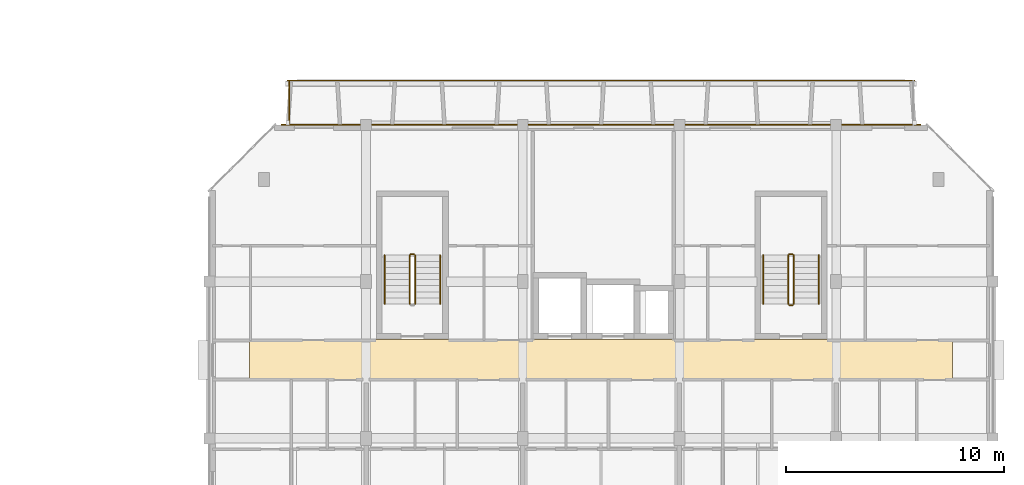
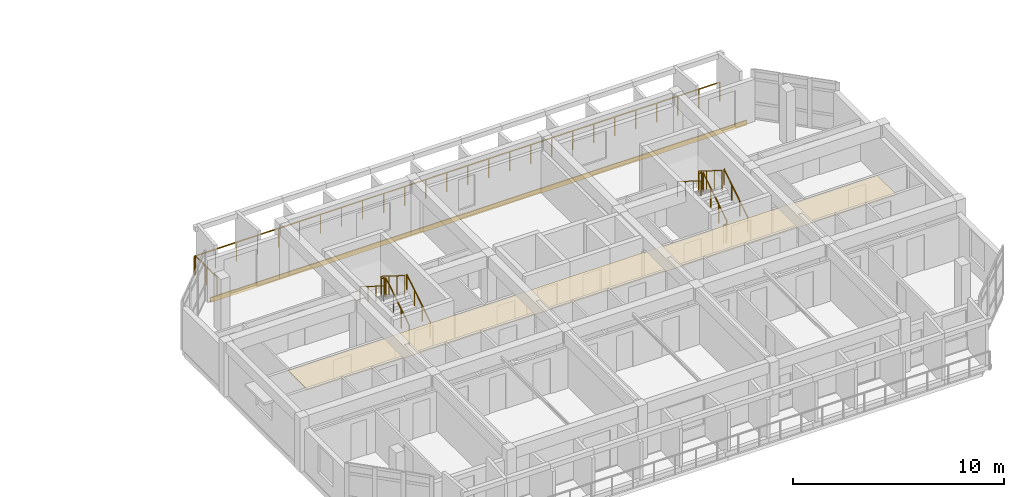
# One storey, part 43 of 46: 13 railings, 2 coverings.
"""IFC4 building model written with IfcOpenShell, lengths in metres."""

from ifc_helpers import new_model, si_unit, direction, frame, origin, origin_2d, place, context, subcontext, project, spatial, polyline, rectangle, circle, outline, extrude, material, layer, layer_set, type_object, element, save


model = new_model("IFC4")

# Units and contexts
model_context = context("Model", 3, precision=1e-05, world=origin(), true_north=direction((0.0, 1.0)))
body_context = subcontext(model_context, "Body", "Model", "MODEL_VIEW")
ifc_project = project(units=[si_unit("LENGTHUNIT", "METRE"), si_unit("AREAUNIT", "SQUARE_METRE"), si_unit("VOLUMEUNIT", "CUBIC_METRE"), si_unit("PLANEANGLEUNIT", "RADIAN"), si_unit("MASSUNIT", "GRAM", prefix="KILO")], contexts=[model_context])

# Site, building, storey
site_placement = place(None, origin())
site = spatial("IfcSite", under=ifc_project, at=site_placement, CompositionType="ELEMENT")
building_placement = place(site_placement, origin())
building = spatial("IfcBuilding", under=site, at=building_placement, Name="Ochrevale Crest", CompositionType="ELEMENT")
storey_placement = place(building_placement, frame((0.0, 0.0, 24.449951171875)))
storey = spatial("IfcBuildingStorey", under=building, at=storey_placement, Name="L07", CompositionType="ELEMENT", Elevation=24.449951171875)

# Coverings
ifc_material_1 = material(Name="Gypsum plasterboard", Category="gypsum")
ifc_layer_1 = layer(ifc_material_1, 0.02490234375)
ifc_layer_set_1 = layer_set([ifc_layer_1], Name="Gypsum plasterboard")
covering_type_1 = type_object("IfcCoveringType", Name="COV-CEIL-GYP", PredefinedType="CEILING", material=ifc_layer_set_1)
covering_1_placement = place(storey_placement, frame((0.0, 0.0, 2.280029296875)))
element("IfcCovering", 1, at=covering_1_placement, inside=storey, type_object=covering_type_1, Name="Block C L07 acoustic corridor ceiling", PredefinedType="CEILING", context=body_context, shape_type="SweptSolid", body=[
    extrude(outline(polyline([(131.449951171875, 24.260009765625), (163.75, 24.260009765625), (163.75, 26.139892578125), (131.449951171875, 26.139892578125), (131.449951171875, 24.260009765625)])), origin(), (0.0, 0.0, 1.0), 0.02490234375),
])
ifc_material_2 = material(Name="Glazed terracotta rainscreen tile", Category="masonry")
ifc_layer_2 = layer(ifc_material_2, 0.048095703125)
ifc_layer_set_2 = layer_set([ifc_layer_2], Name="Glazed terracotta rainscreen tile")
covering_type_2 = type_object("IfcCoveringType", Name="COV-CLAD-TER", PredefinedType="CLADDING", material=ifc_layer_set_2)
covering_2_placement = place(storey_placement, frame((147.60009765625, 36.012451171875, -0.259765625), z_axis=(0.0, 0.0, 1.0), x_axis=(-1.0, 0.0, 0.0)))
element("IfcCovering", 2, at=covering_2_placement, inside=storey, type_object=covering_type_2, Name="Block C L07 terracotta slab-edge spandrel cladding", PredefinedType="CLADDING", context=body_context, shape_type="SweptSolid", body=[
    extrude(rectangle(XDim=29.39990234375, YDim=0.06005859375, at=origin_2d()), origin(), (0.0, 0.0, 1.0), 0.280029296875),
])

# Railings
ifc_material_3 = material(Name="Galvanised steel", Category="steel")
railing_type_1 = type_object("IfcRailingType", Name="RL-BAL-1100", PredefinedType="BALUSTRADE", material=ifc_material_3)
railing_1_placement = place(storey_placement, frame((133.199951171875, 38.0400390625, 0.0)))
element("IfcRailing", 3, at=railing_1_placement, inside=storey, type_object=railing_type_1, Name="Block C L07 N balcony front balustrade", PredefinedType="BALUSTRADE", context=body_context, shape_type="SweptSolid", body=[
    extrude(circle(Radius=0.02392578125, at=origin_2d()), frame((0.0, 0.0, 1.0859375), z_axis=(1.0, 0.0, 0.0), x_axis=(0.0, 1.0, 0.0)), (0.0, 0.0, 1.0), 28.800048828125),
    extrude(circle(Radius=0.02099609375, at=origin_2d()), origin(), (0.0, 0.0, 1.0), 1.06201171875),
    extrude(circle(Radius=0.02099609375, at=origin_2d()), frame((1.152099609375, 0.0, 0.0)), (0.0, 0.0, 1.0), 1.06201171875),
    extrude(circle(Radius=0.02099609375, at=origin_2d()), frame((2.303955078125, 0.0, 0.0)), (0.0, 0.0, 1.0), 1.06201171875),
    extrude(circle(Radius=0.02099609375, at=origin_2d()), frame((3.4560546875, 0.0, 0.0)), (0.0, 0.0, 1.0), 1.06201171875),
    extrude(circle(Radius=0.02099609375, at=origin_2d()), frame((4.60791015625, 0.0, 0.0)), (0.0, 0.0, 1.0), 1.06201171875),
    extrude(circle(Radius=0.02099609375, at=origin_2d()), frame((5.760009765625, 0.0, 0.0)), (0.0, 0.0, 1.0), 1.06201171875),
    extrude(circle(Radius=0.02099609375, at=origin_2d()), frame((6.912109375, 0.0, 0.0)), (0.0, 0.0, 1.0), 1.06201171875),
    extrude(circle(Radius=0.02099609375, at=origin_2d()), frame((8.06396484375, 0.0, 0.0)), (0.0, 0.0, 1.0), 1.06201171875),
    extrude(circle(Radius=0.02099609375, at=origin_2d()), frame((9.216064453125, 0.0, 0.0)), (0.0, 0.0, 1.0), 1.06201171875),
    extrude(circle(Radius=0.02099609375, at=origin_2d()), frame((10.367919921875, 0.0, 0.0)), (0.0, 0.0, 1.0), 1.06201171875),
    extrude(circle(Radius=0.02099609375, at=origin_2d()), frame((11.52001953125, 0.0, 0.0)), (0.0, 0.0, 1.0), 1.06201171875),
    extrude(circle(Radius=0.02099609375, at=origin_2d()), frame((12.672119140625, 0.0, 0.0)), (0.0, 0.0, 1.0), 1.06201171875),
    extrude(circle(Radius=0.02099609375, at=origin_2d()), frame((13.823974609375, 0.0, 0.0)), (0.0, 0.0, 1.0), 1.06201171875),
    extrude(circle(Radius=0.02099609375, at=origin_2d()), frame((14.97607421875, 0.0, 0.0)), (0.0, 0.0, 1.0), 1.06201171875),
    extrude(circle(Radius=0.02099609375, at=origin_2d()), frame((16.1279296875, 0.0, 0.0)), (0.0, 0.0, 1.0), 1.06201171875),
    extrude(circle(Radius=0.02099609375, at=origin_2d()), frame((17.280029296875, 0.0, 0.0)), (0.0, 0.0, 1.0), 1.06201171875),
    extrude(circle(Radius=0.02099609375, at=origin_2d()), frame((18.43212890625, 0.0, 0.0)), (0.0, 0.0, 1.0), 1.06201171875),
    extrude(circle(Radius=0.02099609375, at=origin_2d()), frame((19.583984375, 0.0, 0.0)), (0.0, 0.0, 1.0), 1.06201171875),
    extrude(circle(Radius=0.02099609375, at=origin_2d()), frame((20.736083984375, 0.0, 0.0)), (0.0, 0.0, 1.0), 1.06201171875),
    extrude(circle(Radius=0.02099609375, at=origin_2d()), frame((21.887939453125, 0.0, 0.0)), (0.0, 0.0, 1.0), 1.06201171875),
    extrude(circle(Radius=0.02099609375, at=origin_2d()), frame((23.0400390625, 0.0, 0.0)), (0.0, 0.0, 1.0), 1.06201171875),
    extrude(circle(Radius=0.02099609375, at=origin_2d()), frame((24.192138671875, 0.0, 0.0)), (0.0, 0.0, 1.0), 1.06201171875),
    extrude(circle(Radius=0.02099609375, at=origin_2d()), frame((25.343994140625, 0.0, 0.0)), (0.0, 0.0, 1.0), 1.06201171875),
    extrude(circle(Radius=0.02099609375, at=origin_2d()), frame((26.49609375, 0.0, 0.0)), (0.0, 0.0, 1.0), 1.06201171875),
    extrude(circle(Radius=0.02099609375, at=origin_2d()), frame((27.64794921875, 0.0, 0.0)), (0.0, 0.0, 1.0), 1.06201171875),
    extrude(circle(Radius=0.02099609375, at=origin_2d()), frame((28.800048828125, 0.0, 0.0)), (0.0, 0.0, 1.0), 1.06201171875),
])
railing_2_placement = place(storey_placement, frame((133.260009765625, 36.0, 0.0)))
element("IfcRailing", 4, at=railing_2_placement, inside=storey, type_object=railing_type_1, Name="Block C L07 N-W balcony side guard", PredefinedType="BALUSTRADE", context=body_context, shape_type="SweptSolid", body=[
    extrude(circle(Radius=0.02392578125, at=origin_2d()), frame((0.0, 0.0, 1.0859375), z_axis=(0.0, 1.0, 0.0), x_axis=(-1.0, 0.0, 0.0)), (0.0, 0.0, 1.0), 2.0400390625),
    extrude(circle(Radius=0.02099609375, at=origin_2d()), origin(), (0.0, 0.0, 1.0), 1.06201171875),
    extrude(circle(Radius=0.02099609375, at=origin_2d()), frame((0.0, 1.02001953125, 0.0)), (0.0, 0.0, 1.0), 1.06201171875),
    extrude(circle(Radius=0.02099609375, at=origin_2d()), frame((0.0, 2.0400390625, 0.0)), (0.0, 0.0, 1.0), 1.06201171875),
])
railing_type_2 = type_object("IfcRailingType", Name="RL-ST-GUARD", PredefinedType="BALUSTRADE", material=ifc_material_3)
railing_3_placement = place(storey_placement, frame((139.050048828125, 27.77490234375, 0.175048828125)))
element("IfcRailing", 5, at=railing_3_placement, inside=storey, type_object=railing_type_2, Name="L07 ST-C1 stair guard 1", PredefinedType="BALUSTRADE", context=body_context, shape_type="SweptSolid", body=[
    extrude(circle(Radius=0.02392578125, at=origin_2d()), frame((0.0, 0.0, 1.076171875), z_axis=(0.0, 0.848013881152, 0.529974015752), x_axis=(-1.0, 0.0, 0.0)), (0.0, 0.0, 1.0), 2.641357421875),
    extrude(circle(Radius=0.02099609375, at=origin_2d()), origin(), (0.0, 0.0, 1.0), 1.052001953125),
    extrude(circle(Radius=0.02099609375, at=origin_2d()), frame((0.0, 0.74658203125, 0.466552734375)), (0.0, 0.0, 1.0), 1.052001953125),
    extrude(circle(Radius=0.02099609375, at=origin_2d()), frame((0.0, 1.493408203125, 0.933349609375)), (0.0, 0.0, 1.0), 1.052001953125),
    extrude(circle(Radius=0.02099609375, at=origin_2d()), frame((0.0, 2.239990234375, 1.39990234375)), (0.0, 0.0, 1.0), 1.052001953125),
])
railing_4_placement = place(storey_placement, frame((139.0, 30.06494140625, 1.574951171875)))
element("IfcRailing", 6, at=railing_4_placement, inside=storey, type_object=railing_type_2, Name="L07 ST-C1 stair guard 2", PredefinedType="BALUSTRADE", context=body_context, shape_type="SweptSolid", body=[
    extrude(circle(Radius=0.02392578125, at=origin_2d()), frame((0.0, 0.0, 1.076171875), z_axis=(-1.0, 0.0, 0.0), x_axis=(0.0, -1.0, 0.0)), (0.0, 0.0, 1.0), 0.14990234375),
    extrude(circle(Radius=0.02099609375, at=origin_2d()), origin(), (0.0, 0.0, 1.0), 1.052001953125),
    extrude(circle(Radius=0.02099609375, at=origin_2d()), frame((-0.14990234375, 0.0, 0.0)), (0.0, 0.0, 1.0), 1.052001953125),
])
railing_5_placement = place(storey_placement, frame((138.800048828125, 30.014892578125, 1.75)))
element("IfcRailing", 7, at=railing_5_placement, inside=storey, type_object=railing_type_2, Name="L07 ST-C1 stair guard 3", PredefinedType="BALUSTRADE", context=body_context, shape_type="SweptSolid", body=[
    extrude(circle(Radius=0.02392578125, at=origin_2d()), frame((0.0, 0.0, 1.076171875), z_axis=(0.0, -0.847972341737, 0.530040477369), x_axis=(1.0, 0.0, 0.0)), (0.0, 0.0, 1.0), 2.6416015625),
    extrude(circle(Radius=0.02099609375, at=origin_2d()), origin(), (0.0, 0.0, 1.0), 1.052001953125),
    extrude(circle(Radius=0.02099609375, at=origin_2d()), frame((0.0, -0.74658203125, 0.466796875)), (0.0, 0.0, 1.0), 1.052001953125),
    extrude(circle(Radius=0.02099609375, at=origin_2d()), frame((0.0, -1.493408203125, 0.933349609375)), (0.0, 0.0, 1.0), 1.052001953125),
    extrude(circle(Radius=0.02099609375, at=origin_2d()), frame((0.0, -2.239990234375, 1.400146484375)), (0.0, 0.0, 1.0), 1.052001953125),
])
railing_6_placement = place(storey_placement, frame((156.449951171875, 27.77490234375, 0.175048828125)))
element("IfcRailing", 8, at=railing_6_placement, inside=storey, type_object=railing_type_2, Name="L07 ST-C2 stair guard 1", PredefinedType="BALUSTRADE", context=body_context, shape_type="SweptSolid", body=[
    extrude(circle(Radius=0.02392578125, at=origin_2d()), frame((0.0, 0.0, 1.076171875), z_axis=(0.0, 0.848013881152, 0.529974015752), x_axis=(-1.0, 0.0, 0.0)), (0.0, 0.0, 1.0), 2.641357421875),
    extrude(circle(Radius=0.02099609375, at=origin_2d()), origin(), (0.0, 0.0, 1.0), 1.052001953125),
    extrude(circle(Radius=0.02099609375, at=origin_2d()), frame((0.0, 0.74658203125, 0.466552734375)), (0.0, 0.0, 1.0), 1.052001953125),
    extrude(circle(Radius=0.02099609375, at=origin_2d()), frame((0.0, 1.493408203125, 0.933349609375)), (0.0, 0.0, 1.0), 1.052001953125),
    extrude(circle(Radius=0.02099609375, at=origin_2d()), frame((0.0, 2.239990234375, 1.39990234375)), (0.0, 0.0, 1.0), 1.052001953125),
])
railing_7_placement = place(storey_placement, frame((156.39990234375, 30.06494140625, 1.574951171875)))
element("IfcRailing", 9, at=railing_7_placement, inside=storey, type_object=railing_type_2, Name="L07 ST-C2 stair guard 2", PredefinedType="BALUSTRADE", context=body_context, shape_type="SweptSolid", body=[
    extrude(circle(Radius=0.02392578125, at=origin_2d()), frame((0.0, 0.0, 1.076171875), z_axis=(-1.0, 0.0, 0.0), x_axis=(0.0, -1.0, 0.0)), (0.0, 0.0, 1.0), 0.14990234375),
    extrude(circle(Radius=0.02099609375, at=origin_2d()), origin(), (0.0, 0.0, 1.0), 1.052001953125),
    extrude(circle(Radius=0.02099609375, at=origin_2d()), frame((-0.14990234375, 0.0, 0.0)), (0.0, 0.0, 1.0), 1.052001953125),
])
railing_8_placement = place(storey_placement, frame((156.199951171875, 30.014892578125, 1.75)))
element("IfcRailing", 10, at=railing_8_placement, inside=storey, type_object=railing_type_2, Name="L07 ST-C2 stair guard 3", PredefinedType="BALUSTRADE", context=body_context, shape_type="SweptSolid", body=[
    extrude(circle(Radius=0.02392578125, at=origin_2d()), frame((0.0, 0.0, 1.076171875), z_axis=(0.0, -0.847972341737, 0.530040477369), x_axis=(1.0, 0.0, 0.0)), (0.0, 0.0, 1.0), 2.6416015625),
    extrude(circle(Radius=0.02099609375, at=origin_2d()), origin(), (0.0, 0.0, 1.0), 1.052001953125),
    extrude(circle(Radius=0.02099609375, at=origin_2d()), frame((0.0, -0.74658203125, 0.466796875)), (0.0, 0.0, 1.0), 1.052001953125),
    extrude(circle(Radius=0.02099609375, at=origin_2d()), frame((0.0, -1.493408203125, 0.933349609375)), (0.0, 0.0, 1.0), 1.052001953125),
    extrude(circle(Radius=0.02099609375, at=origin_2d()), frame((0.0, -2.239990234375, 1.400146484375)), (0.0, 0.0, 1.0), 1.052001953125),
])
railing_9_placement = place(storey_placement, frame((156.39990234375, 27.72509765625, 0.0)))
element("IfcRailing", 11, at=railing_9_placement, inside=storey, type_object=railing_type_2, Name="L07 ST-C2 stair guard 4", PredefinedType="BALUSTRADE", context=body_context, shape_type="SweptSolid", body=[
    extrude(circle(Radius=0.02392578125, at=origin_2d()), frame((0.0, 0.0, 1.076171875), z_axis=(-1.0, 0.0, 0.0), x_axis=(0.0, -1.0, 0.0)), (0.0, 0.0, 1.0), 0.14990234375),
    extrude(circle(Radius=0.02099609375, at=origin_2d()), origin(), (0.0, 0.0, 1.0), 1.052001953125),
    extrude(circle(Radius=0.02099609375, at=origin_2d()), frame((-0.14990234375, 0.0, 0.0)), (0.0, 0.0, 1.0), 1.052001953125),
])
ifc_material_4 = material(Name="Stainless steel", Category="steel")
railing_type_3 = type_object("IfcRailingType", Name="RL-ST-HRAIL", PredefinedType="HANDRAIL", material=ifc_material_4)
railing_10_placement = place(storey_placement, frame((140.199951171875, 27.77490234375, 0.175048828125)))
element("IfcRailing", 12, at=railing_10_placement, inside=storey, type_object=railing_type_3, Name="L07 ST-C1 stair handrail 1", PredefinedType="HANDRAIL", context=body_context, shape_type="SweptSolid", body=[
    extrude(circle(Radius=0.02392578125, at=origin_2d()), frame((0.0, 0.0, 0.8759765625), z_axis=(0.0, 0.848013881152, 0.529974015752), x_axis=(-1.0, 0.0, 0.0)), (0.0, 0.0, 1.0), 2.641357421875),
    extrude(circle(Radius=0.02099609375, at=origin_2d()), origin(), (0.0, 0.0, 1.0), 0.851806640625),
    extrude(circle(Radius=0.02099609375, at=origin_2d()), frame((0.0, 0.74658203125, 0.466552734375)), (0.0, 0.0, 1.0), 0.851806640625),
    extrude(circle(Radius=0.02099609375, at=origin_2d()), frame((0.0, 1.493408203125, 0.933349609375)), (0.0, 0.0, 1.0), 0.851806640625),
    extrude(circle(Radius=0.02099609375, at=origin_2d()), frame((0.0, 2.239990234375, 1.39990234375)), (0.0, 0.0, 1.0), 0.851806640625),
])
railing_11_placement = place(storey_placement, frame((137.64990234375, 30.014892578125, 1.75)))
element("IfcRailing", 13, at=railing_11_placement, inside=storey, type_object=railing_type_3, Name="L07 ST-C1 stair handrail 2", PredefinedType="HANDRAIL", context=body_context, shape_type="SweptSolid", body=[
    extrude(circle(Radius=0.02392578125, at=origin_2d()), frame((0.0, 0.0, 0.8759765625), z_axis=(0.0, -0.847972341737, 0.530040477369), x_axis=(1.0, 0.0, 0.0)), (0.0, 0.0, 1.0), 2.6416015625),
    extrude(circle(Radius=0.02099609375, at=origin_2d()), origin(), (0.0, 0.0, 1.0), 0.851806640625),
    extrude(circle(Radius=0.02099609375, at=origin_2d()), frame((0.0, -0.74658203125, 0.466796875)), (0.0, 0.0, 1.0), 0.851806640625),
    extrude(circle(Radius=0.02099609375, at=origin_2d()), frame((0.0, -1.493408203125, 0.933349609375)), (0.0, 0.0, 1.0), 0.851806640625),
    extrude(circle(Radius=0.02099609375, at=origin_2d()), frame((0.0, -2.239990234375, 1.400146484375)), (0.0, 0.0, 1.0), 0.851806640625),
])
railing_12_placement = place(storey_placement, frame((157.60009765625, 27.77490234375, 0.175048828125)))
element("IfcRailing", 14, at=railing_12_placement, inside=storey, type_object=railing_type_3, Name="L07 ST-C2 stair handrail 1", PredefinedType="HANDRAIL", context=body_context, shape_type="SweptSolid", body=[
    extrude(circle(Radius=0.02392578125, at=origin_2d()), frame((0.0, 0.0, 0.8759765625), z_axis=(0.0, 0.848013881152, 0.529974015752), x_axis=(-1.0, 0.0, 0.0)), (0.0, 0.0, 1.0), 2.641357421875),
    extrude(circle(Radius=0.02099609375, at=origin_2d()), origin(), (0.0, 0.0, 1.0), 0.851806640625),
    extrude(circle(Radius=0.02099609375, at=origin_2d()), frame((0.0, 0.74658203125, 0.466552734375)), (0.0, 0.0, 1.0), 0.851806640625),
    extrude(circle(Radius=0.02099609375, at=origin_2d()), frame((0.0, 1.493408203125, 0.933349609375)), (0.0, 0.0, 1.0), 0.851806640625),
    extrude(circle(Radius=0.02099609375, at=origin_2d()), frame((0.0, 2.239990234375, 1.39990234375)), (0.0, 0.0, 1.0), 0.851806640625),
])
railing_13_placement = place(storey_placement, frame((155.050048828125, 30.014892578125, 1.75)))
element("IfcRailing", 15, at=railing_13_placement, inside=storey, type_object=railing_type_3, Name="L07 ST-C2 stair handrail 2", PredefinedType="HANDRAIL", context=body_context, shape_type="SweptSolid", body=[
    extrude(circle(Radius=0.02392578125, at=origin_2d()), frame((0.0, 0.0, 0.8759765625), z_axis=(0.0, -0.847972341737, 0.530040477369), x_axis=(1.0, 0.0, 0.0)), (0.0, 0.0, 1.0), 2.6416015625),
    extrude(circle(Radius=0.02099609375, at=origin_2d()), origin(), (0.0, 0.0, 1.0), 0.851806640625),
    extrude(circle(Radius=0.02099609375, at=origin_2d()), frame((0.0, -0.74658203125, 0.466796875)), (0.0, 0.0, 1.0), 0.851806640625),
    extrude(circle(Radius=0.02099609375, at=origin_2d()), frame((0.0, -1.493408203125, 0.933349609375)), (0.0, 0.0, 1.0), 0.851806640625),
    extrude(circle(Radius=0.02099609375, at=origin_2d()), frame((0.0, -2.239990234375, 1.400146484375)), (0.0, 0.0, 1.0), 0.851806640625),
])

save(model, "model.ifc")
